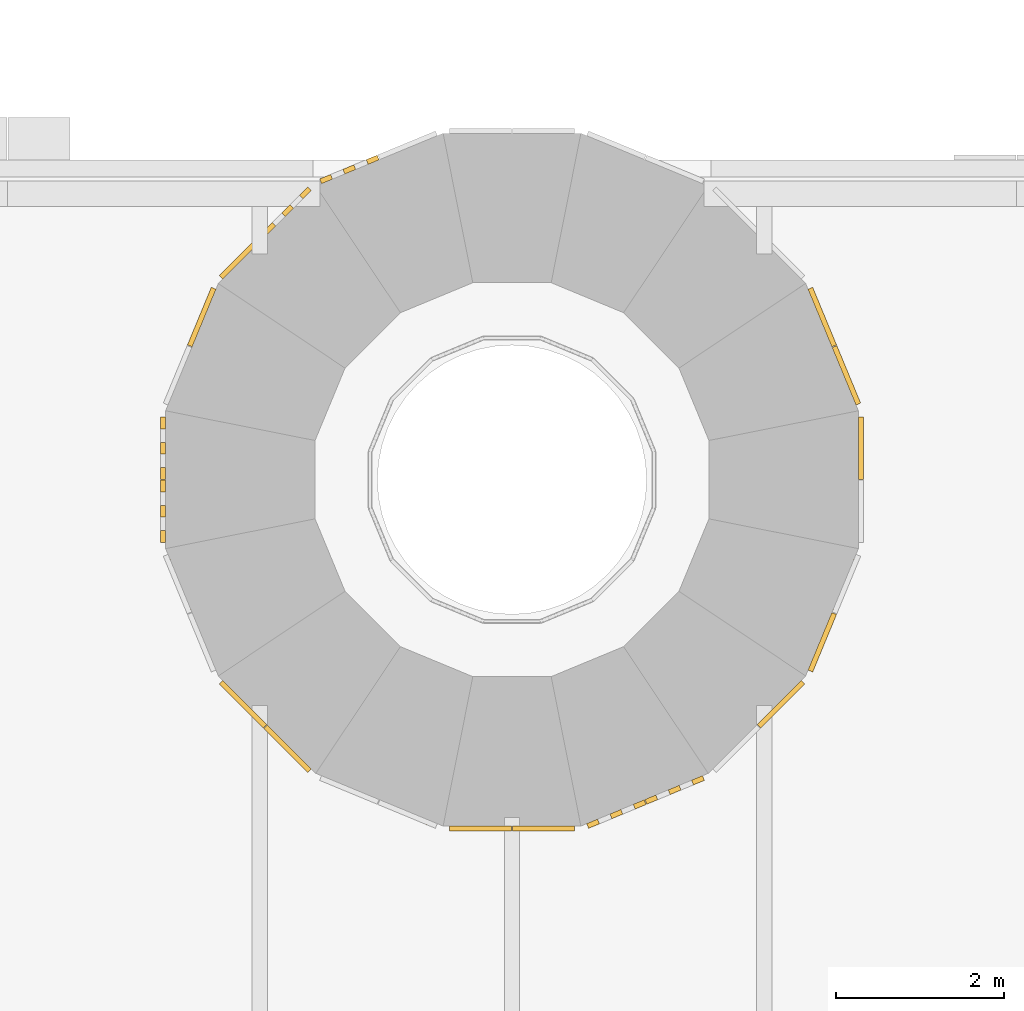
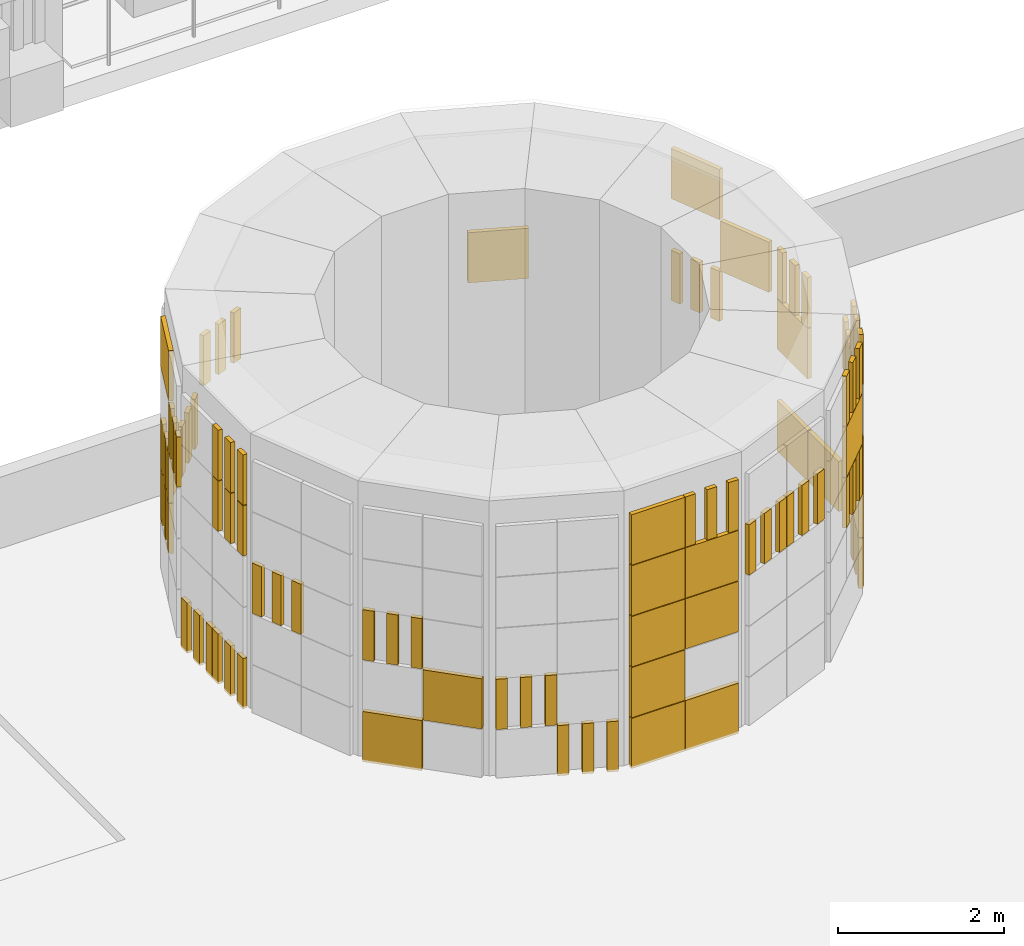
# One storey, part 77 of 98: 2 coverings.
"""IFC4 building model written with IfcOpenShell, lengths in metres."""

from ifc_helpers import new_model, si_unit, direction, frame, origin, origin_2d, place, context, subcontext, project, spatial, rectangle, extrude, material, layer, layer_set, type_object, element, save


model = new_model("IFC4")

# Units and contexts
model_context = context("Model", 3, precision=1e-05, world=origin(), true_north=direction((0.0, 1.0)))
body_context = subcontext(model_context, "Body", "Model", "MODEL_VIEW")
ifc_project = project(units=[si_unit("LENGTHUNIT", "METRE"), si_unit("AREAUNIT", "SQUARE_METRE"), si_unit("VOLUMEUNIT", "CUBIC_METRE"), si_unit("PLANEANGLEUNIT", "RADIAN"), si_unit("MASSUNIT", "GRAM", prefix="KILO")], contexts=[model_context])

# Site, building, storey
site_placement = place(None, origin())
site = spatial("IfcSite", under=ifc_project, at=site_placement, CompositionType="ELEMENT")
building_placement = place(site_placement, origin())
building = spatial("IfcBuilding", under=site, at=building_placement, Name="Sun Court Science Centre", CompositionType="ELEMENT")
storey_placement = place(building_placement, frame((0.0, 0.0, 15.75)))
storey = spatial("IfcBuildingStorey", under=building, at=storey_placement, Name="L03", CompositionType="ELEMENT", Elevation=15.75)

# Coverings
ifc_material_1 = material(Name="Terracotta jali", Category="masonry")
ifc_layer_1 = layer(ifc_material_1, 0.06005859375)
ifc_layer_set_1 = layer_set([ifc_layer_1], Name="Terracotta jali")
covering_type_1 = type_object("IfcCoveringType", Name="Terracotta open jali panel", PredefinedType="CLADDING", material=ifc_layer_set_1)
covering_1_placement = place(storey_placement, frame((0.0, 0.0, -15.75)))
element("IfcCovering", 1, at=covering_1_placement, inside=storey, type_object=covering_type_1, Name="Open jali pixel cladding cone 4 L03", PredefinedType="CLADDING", context=body_context, shape_type="SweptSolid", body=[
    extrude(rectangle(XDim=0.139892578125, YDim=0.06005859375, at=origin_2d()), frame((45.5751953125, 26.411376953125, 17.365234375), z_axis=(0.0, 0.0, 1.0), x_axis=(0.382683432365, -0.923879532511, 0.0)), (0.0, 0.0, 1.0), 0.739990234375),
    extrude(rectangle(XDim=0.139892578125, YDim=0.06005859375, at=origin_2d()), frame((45.68994140625, 26.13427734375, 17.365234375), z_axis=(0.0, 0.0, 1.0), x_axis=(0.382683432365, -0.923879532511, 0.0)), (0.0, 0.0, 1.0), 0.739990234375),
    extrude(rectangle(XDim=0.139892578125, YDim=0.06005859375, at=origin_2d()), frame((45.8046875, 25.857177734375, 17.365234375), z_axis=(0.0, 0.0, 1.0), x_axis=(0.382683432365, -0.923879532511, 0.0)), (0.0, 0.0, 1.0), 0.739990234375),
    extrude(rectangle(XDim=0.139892578125, YDim=0.06005859375, at=origin_2d()), frame((39.78857421875, 27.775146484375, 17.365234375), z_axis=(0.0, 0.0, 1.0), x_axis=(0.923879532511, 0.382683432365, 0.0)), (0.0, 0.0, 1.0), 0.739990234375),
    extrude(rectangle(XDim=0.139892578125, YDim=0.06005859375, at=origin_2d()), frame((40.065673828125, 27.889892578125, 17.365234375), z_axis=(0.0, 0.0, 1.0), x_axis=(0.923879532511, 0.382683432365, 0.0)), (0.0, 0.0, 1.0), 0.739990234375),
    extrude(rectangle(XDim=0.139892578125, YDim=0.06005859375, at=origin_2d()), frame((40.3427734375, 28.004638671875, 17.365234375), z_axis=(0.0, 0.0, 1.0), x_axis=(0.923879532511, 0.382683432365, 0.0)), (0.0, 0.0, 1.0), 0.739990234375),
    extrude(rectangle(XDim=0.139892578125, YDim=0.06005859375, at=origin_2d()), frame((39.119140625, 27.18701171875, 16.615234375), z_axis=(0.0, 0.0, 1.0), x_axis=(0.707106781187, 0.707106781187, 0.0)), (0.0, 0.0, 1.0), 0.739990234375),
    extrude(rectangle(XDim=0.139892578125, YDim=0.06005859375, at=origin_2d()), frame((39.3310546875, 27.399169921875, 16.615234375), z_axis=(0.0, 0.0, 1.0), x_axis=(0.707106781187, 0.707106781187, 0.0)), (0.0, 0.0, 1.0), 0.739990234375),
    extrude(rectangle(XDim=0.139892578125, YDim=0.06005859375, at=origin_2d()), frame((39.543212890625, 27.611328125, 16.615234375), z_axis=(0.0, 0.0, 1.0), x_axis=(0.707106781187, 0.707106781187, 0.0)), (0.0, 0.0, 1.0), 0.739990234375),
    extrude(rectangle(XDim=0.139892578125, YDim=0.06005859375, at=origin_2d()), frame((38.1953125, 25.857177734375, 16.615234375), z_axis=(0.0, 0.0, 1.0), x_axis=(0.382683432365, 0.923879532511, 0.0)), (0.0, 0.0, 1.0), 0.739990234375),
    extrude(rectangle(XDim=0.139892578125, YDim=0.06005859375, at=origin_2d()), frame((38.31005859375, 26.13427734375, 16.615234375), z_axis=(0.0, 0.0, 1.0), x_axis=(0.382683432365, 0.923879532511, 0.0)), (0.0, 0.0, 1.0), 0.739990234375),
    extrude(rectangle(XDim=0.139892578125, YDim=0.06005859375, at=origin_2d()), frame((38.4248046875, 26.411376953125, 16.615234375), z_axis=(0.0, 0.0, 1.0), x_axis=(0.382683432365, 0.923879532511, 0.0)), (0.0, 0.0, 1.0), 0.739990234375),
    extrude(rectangle(XDim=0.139892578125, YDim=0.06005859375, at=origin_2d()), frame((38.1953125, 25.857177734375, 17.365234375), z_axis=(0.0, 0.0, 1.0), x_axis=(0.382683432365, 0.923879532511, 0.0)), (0.0, 0.0, 1.0), 0.739990234375),
    extrude(rectangle(XDim=0.139892578125, YDim=0.06005859375, at=origin_2d()), frame((38.31005859375, 26.13427734375, 17.365234375), z_axis=(0.0, 0.0, 1.0), x_axis=(0.382683432365, 0.923879532511, 0.0)), (0.0, 0.0, 1.0), 0.739990234375),
    extrude(rectangle(XDim=0.139892578125, YDim=0.06005859375, at=origin_2d()), frame((38.4248046875, 26.411376953125, 17.365234375), z_axis=(0.0, 0.0, 1.0), x_axis=(0.382683432365, 0.923879532511, 0.0)), (0.0, 0.0, 1.0), 0.739990234375),
    extrude(rectangle(XDim=0.139892578125, YDim=0.06005859375, at=origin_2d()), frame((37.908203125, 25.164306640625, 18.115234375), z_axis=(0.0, 0.0, 1.0), x_axis=(0.382683432365, 0.923879532511, 0.0)), (0.0, 0.0, 1.0), 0.739990234375),
    extrude(rectangle(XDim=0.139892578125, YDim=0.06005859375, at=origin_2d()), frame((38.02294921875, 25.44140625, 18.115234375), z_axis=(0.0, 0.0, 1.0), x_axis=(0.382683432365, 0.923879532511, 0.0)), (0.0, 0.0, 1.0), 0.739990234375),
    extrude(rectangle(XDim=0.139892578125, YDim=0.06005859375, at=origin_2d()), frame((38.137939453125, 25.718505859375, 18.115234375), z_axis=(0.0, 0.0, 1.0), x_axis=(0.382683432365, 0.923879532511, 0.0)), (0.0, 0.0, 1.0), 0.739990234375),
    extrude(rectangle(XDim=0.139892578125, YDim=0.06005859375, at=origin_2d()), frame((37.8505859375, 23.52490234375, 15.865234375), z_axis=(0.0, 0.0, 1.0), x_axis=(0.0, 1.0, 0.0)), (0.0, 0.0, 1.0), 0.739990234375),
    extrude(rectangle(XDim=0.139892578125, YDim=0.06005859375, at=origin_2d()), frame((37.8505859375, 23.824951171875, 15.865234375), z_axis=(0.0, 0.0, 1.0), x_axis=(0.0, 1.0, 0.0)), (0.0, 0.0, 1.0), 0.739990234375),
    extrude(rectangle(XDim=0.139892578125, YDim=0.06005859375, at=origin_2d()), frame((37.8505859375, 24.125, 15.865234375), z_axis=(0.0, 0.0, 1.0), x_axis=(0.0, 1.0, 0.0)), (0.0, 0.0, 1.0), 0.739990234375),
    extrude(rectangle(XDim=0.139892578125, YDim=0.06005859375, at=origin_2d()), frame((37.8505859375, 24.27490234375, 15.865234375), z_axis=(0.0, 0.0, 1.0), x_axis=(0.0, 1.0, 0.0)), (0.0, 0.0, 1.0), 0.739990234375),
    extrude(rectangle(XDim=0.139892578125, YDim=0.06005859375, at=origin_2d()), frame((37.8505859375, 24.574951171875, 15.865234375), z_axis=(0.0, 0.0, 1.0), x_axis=(0.0, 1.0, 0.0)), (0.0, 0.0, 1.0), 0.739990234375),
    extrude(rectangle(XDim=0.139892578125, YDim=0.06005859375, at=origin_2d()), frame((37.8505859375, 24.875, 15.865234375), z_axis=(0.0, 0.0, 1.0), x_axis=(0.0, 1.0, 0.0)), (0.0, 0.0, 1.0), 0.739990234375),
    extrude(rectangle(XDim=0.139892578125, YDim=0.06005859375, at=origin_2d()), frame((37.8505859375, 23.52490234375, 18.115234375), z_axis=(0.0, 0.0, 1.0), x_axis=(0.0, 1.0, 0.0)), (0.0, 0.0, 1.0), 0.739990234375),
    extrude(rectangle(XDim=0.139892578125, YDim=0.06005859375, at=origin_2d()), frame((37.8505859375, 23.824951171875, 18.115234375), z_axis=(0.0, 0.0, 1.0), x_axis=(0.0, 1.0, 0.0)), (0.0, 0.0, 1.0), 0.739990234375),
    extrude(rectangle(XDim=0.139892578125, YDim=0.06005859375, at=origin_2d()), frame((37.8505859375, 24.125, 18.115234375), z_axis=(0.0, 0.0, 1.0), x_axis=(0.0, 1.0, 0.0)), (0.0, 0.0, 1.0), 0.739990234375),
    extrude(rectangle(XDim=0.139892578125, YDim=0.06005859375, at=origin_2d()), frame((37.8505859375, 23.52490234375, 18.865234375), z_axis=(0.0, 0.0, 1.0), x_axis=(0.0, 1.0, 0.0)), (0.0, 0.0, 1.0), 0.739990234375),
    extrude(rectangle(XDim=0.139892578125, YDim=0.06005859375, at=origin_2d()), frame((37.8505859375, 23.824951171875, 18.865234375), z_axis=(0.0, 0.0, 1.0), x_axis=(0.0, 1.0, 0.0)), (0.0, 0.0, 1.0), 0.739990234375),
    extrude(rectangle(XDim=0.139892578125, YDim=0.06005859375, at=origin_2d()), frame((37.8505859375, 24.125, 18.865234375), z_axis=(0.0, 0.0, 1.0), x_axis=(0.0, 1.0, 0.0)), (0.0, 0.0, 1.0), 0.739990234375),
    extrude(rectangle(XDim=0.139892578125, YDim=0.06005859375, at=origin_2d()), frame((38.137939453125, 22.681396484375, 17.365234375), z_axis=(0.0, 0.0, 1.0), x_axis=(-0.382683432365, 0.923879532511, 0.0)), (0.0, 0.0, 1.0), 0.739990234375),
    extrude(rectangle(XDim=0.139892578125, YDim=0.06005859375, at=origin_2d()), frame((38.02294921875, 22.95849609375, 17.365234375), z_axis=(0.0, 0.0, 1.0), x_axis=(-0.382683432365, 0.923879532511, 0.0)), (0.0, 0.0, 1.0), 0.739990234375),
    extrude(rectangle(XDim=0.139892578125, YDim=0.06005859375, at=origin_2d()), frame((37.908203125, 23.23583984375, 17.365234375), z_axis=(0.0, 0.0, 1.0), x_axis=(-0.382683432365, 0.923879532511, 0.0)), (0.0, 0.0, 1.0), 0.739990234375),
    extrude(rectangle(XDim=0.139892578125, YDim=0.06005859375, at=origin_2d()), frame((39.012939453125, 21.319091796875, 17.365234375), z_axis=(0.0, 0.0, 1.0), x_axis=(-0.707106781187, 0.707106781187, 0.0)), (0.0, 0.0, 1.0), 0.739990234375),
    extrude(rectangle(XDim=0.139892578125, YDim=0.06005859375, at=origin_2d()), frame((38.80078125, 21.53125, 17.365234375), z_axis=(0.0, 0.0, 1.0), x_axis=(-0.707106781187, 0.707106781187, 0.0)), (0.0, 0.0, 1.0), 0.739990234375),
    extrude(rectangle(XDim=0.139892578125, YDim=0.06005859375, at=origin_2d()), frame((38.588623046875, 21.743408203125, 17.365234375), z_axis=(0.0, 0.0, 1.0), x_axis=(-0.707106781187, 0.707106781187, 0.0)), (0.0, 0.0, 1.0), 0.739990234375),
    extrude(rectangle(XDim=0.139892578125, YDim=0.06005859375, at=origin_2d()), frame((41.03564453125, 20.108154296875, 15.865234375), z_axis=(0.0, 0.0, 1.0), x_axis=(-0.923879532511, 0.382683432365, 0.0)), (0.0, 0.0, 1.0), 0.739990234375),
    extrude(rectangle(XDim=0.139892578125, YDim=0.06005859375, at=origin_2d()), frame((40.758544921875, 20.22314453125, 15.865234375), z_axis=(0.0, 0.0, 1.0), x_axis=(-0.923879532511, 0.382683432365, 0.0)), (0.0, 0.0, 1.0), 0.739990234375),
    extrude(rectangle(XDim=0.139892578125, YDim=0.06005859375, at=origin_2d()), frame((40.4814453125, 20.337890625, 15.865234375), z_axis=(0.0, 0.0, 1.0), x_axis=(-0.923879532511, 0.382683432365, 0.0)), (0.0, 0.0, 1.0), 0.739990234375),
    extrude(rectangle(XDim=0.139892578125, YDim=0.06005859375, at=origin_2d()), frame((40.3427734375, 20.395263671875, 16.615234375), z_axis=(0.0, 0.0, 1.0), x_axis=(-0.923879532511, 0.382683432365, 0.0)), (0.0, 0.0, 1.0), 0.739990234375),
    extrude(rectangle(XDim=0.139892578125, YDim=0.06005859375, at=origin_2d()), frame((40.065673828125, 20.510009765625, 16.615234375), z_axis=(0.0, 0.0, 1.0), x_axis=(-0.923879532511, 0.382683432365, 0.0)), (0.0, 0.0, 1.0), 0.739990234375),
    extrude(rectangle(XDim=0.139892578125, YDim=0.06005859375, at=origin_2d()), frame((39.78857421875, 20.624755859375, 16.615234375), z_axis=(0.0, 0.0, 1.0), x_axis=(-0.923879532511, 0.382683432365, 0.0)), (0.0, 0.0, 1.0), 0.739990234375),
    extrude(rectangle(XDim=0.139892578125, YDim=0.06005859375, at=origin_2d()), frame((42.675048828125, 20.05078125, 18.865234375), z_axis=(0.0, 0.0, 1.0), x_axis=(-1.0, 0.0, 0.0)), (0.0, 0.0, 1.0), 0.739990234375),
    extrude(rectangle(XDim=0.139892578125, YDim=0.06005859375, at=origin_2d()), frame((42.375, 20.05078125, 18.865234375), z_axis=(0.0, 0.0, 1.0), x_axis=(-1.0, 0.0, 0.0)), (0.0, 0.0, 1.0), 0.739990234375),
    extrude(rectangle(XDim=0.139892578125, YDim=0.06005859375, at=origin_2d()), frame((42.074951171875, 20.05078125, 18.865234375), z_axis=(0.0, 0.0, 1.0), x_axis=(-1.0, 0.0, 0.0)), (0.0, 0.0, 1.0), 0.739990234375),
    extrude(rectangle(XDim=0.139892578125, YDim=0.06005859375, at=origin_2d()), frame((44.21142578125, 20.624755859375, 18.115234375), z_axis=(0.0, 0.0, 1.0), x_axis=(-0.923879532511, -0.382683432365, 0.0)), (0.0, 0.0, 1.0), 0.739990234375),
    extrude(rectangle(XDim=0.139892578125, YDim=0.06005859375, at=origin_2d()), frame((43.934326171875, 20.510009765625, 18.115234375), z_axis=(0.0, 0.0, 1.0), x_axis=(-0.923879532511, -0.382683432365, 0.0)), (0.0, 0.0, 1.0), 0.739990234375),
    extrude(rectangle(XDim=0.139892578125, YDim=0.06005859375, at=origin_2d()), frame((43.6572265625, 20.395263671875, 18.115234375), z_axis=(0.0, 0.0, 1.0), x_axis=(-0.923879532511, -0.382683432365, 0.0)), (0.0, 0.0, 1.0), 0.739990234375),
    extrude(rectangle(XDim=0.139892578125, YDim=0.06005859375, at=origin_2d()), frame((43.5185546875, 20.337890625, 18.115234375), z_axis=(0.0, 0.0, 1.0), x_axis=(-0.923879532511, -0.382683432365, 0.0)), (0.0, 0.0, 1.0), 0.739990234375),
    extrude(rectangle(XDim=0.139892578125, YDim=0.06005859375, at=origin_2d()), frame((43.241455078125, 20.22314453125, 18.115234375), z_axis=(0.0, 0.0, 1.0), x_axis=(-0.923879532511, -0.382683432365, 0.0)), (0.0, 0.0, 1.0), 0.739990234375),
    extrude(rectangle(XDim=0.139892578125, YDim=0.06005859375, at=origin_2d()), frame((42.96435546875, 20.108154296875, 18.115234375), z_axis=(0.0, 0.0, 1.0), x_axis=(-0.923879532511, -0.382683432365, 0.0)), (0.0, 0.0, 1.0), 0.739990234375),
    extrude(rectangle(XDim=0.139892578125, YDim=0.06005859375, at=origin_2d()), frame((45.411376953125, 21.743408203125, 17.365234375), z_axis=(0.0, 0.0, 1.0), x_axis=(-0.707106781187, -0.707106781187, 0.0)), (0.0, 0.0, 1.0), 0.739990234375),
    extrude(rectangle(XDim=0.139892578125, YDim=0.06005859375, at=origin_2d()), frame((45.19921875, 21.53125, 17.365234375), z_axis=(0.0, 0.0, 1.0), x_axis=(-0.707106781187, -0.707106781187, 0.0)), (0.0, 0.0, 1.0), 0.739990234375),
    extrude(rectangle(XDim=0.139892578125, YDim=0.06005859375, at=origin_2d()), frame((44.987060546875, 21.319091796875, 17.365234375), z_axis=(0.0, 0.0, 1.0), x_axis=(-0.707106781187, -0.707106781187, 0.0)), (0.0, 0.0, 1.0), 0.739990234375),
    extrude(rectangle(XDim=0.139892578125, YDim=0.06005859375, at=origin_2d()), frame((45.411376953125, 21.743408203125, 18.865234375), z_axis=(0.0, 0.0, 1.0), x_axis=(-0.707106781187, -0.707106781187, 0.0)), (0.0, 0.0, 1.0), 0.739990234375),
    extrude(rectangle(XDim=0.139892578125, YDim=0.06005859375, at=origin_2d()), frame((45.19921875, 21.53125, 18.865234375), z_axis=(0.0, 0.0, 1.0), x_axis=(-0.707106781187, -0.707106781187, 0.0)), (0.0, 0.0, 1.0), 0.739990234375),
    extrude(rectangle(XDim=0.139892578125, YDim=0.06005859375, at=origin_2d()), frame((44.987060546875, 21.319091796875, 18.865234375), z_axis=(0.0, 0.0, 1.0), x_axis=(-0.707106781187, -0.707106781187, 0.0)), (0.0, 0.0, 1.0), 0.739990234375),
    extrude(rectangle(XDim=0.139892578125, YDim=0.06005859375, at=origin_2d()), frame((45.8046875, 22.542724609375, 15.865234375), z_axis=(0.0, 0.0, 1.0), x_axis=(-0.382683432365, -0.923879532511, 0.0)), (0.0, 0.0, 1.0), 0.739990234375),
    extrude(rectangle(XDim=0.139892578125, YDim=0.06005859375, at=origin_2d()), frame((45.68994140625, 22.265625, 15.865234375), z_axis=(0.0, 0.0, 1.0), x_axis=(-0.382683432365, -0.923879532511, 0.0)), (0.0, 0.0, 1.0), 0.739990234375),
    extrude(rectangle(XDim=0.139892578125, YDim=0.06005859375, at=origin_2d()), frame((45.5751953125, 21.988525390625, 15.865234375), z_axis=(0.0, 0.0, 1.0), x_axis=(-0.382683432365, -0.923879532511, 0.0)), (0.0, 0.0, 1.0), 0.739990234375),
    extrude(rectangle(XDim=0.139892578125, YDim=0.06005859375, at=origin_2d()), frame((45.8046875, 22.542724609375, 17.365234375), z_axis=(0.0, 0.0, 1.0), x_axis=(-0.382683432365, -0.923879532511, 0.0)), (0.0, 0.0, 1.0), 0.739990234375),
    extrude(rectangle(XDim=0.139892578125, YDim=0.06005859375, at=origin_2d()), frame((45.68994140625, 22.265625, 17.365234375), z_axis=(0.0, 0.0, 1.0), x_axis=(-0.382683432365, -0.923879532511, 0.0)), (0.0, 0.0, 1.0), 0.739990234375),
    extrude(rectangle(XDim=0.139892578125, YDim=0.06005859375, at=origin_2d()), frame((45.5751953125, 21.988525390625, 17.365234375), z_axis=(0.0, 0.0, 1.0), x_axis=(-0.382683432365, -0.923879532511, 0.0)), (0.0, 0.0, 1.0), 0.739990234375),
    extrude(rectangle(XDim=0.139892578125, YDim=0.06005859375, at=origin_2d()), frame((46.091796875, 23.23583984375, 18.115234375), z_axis=(0.0, 0.0, 1.0), x_axis=(-0.382683432365, -0.923879532511, 0.0)), (0.0, 0.0, 1.0), 0.739990234375),
    extrude(rectangle(XDim=0.139892578125, YDim=0.06005859375, at=origin_2d()), frame((45.97705078125, 22.95849609375, 18.115234375), z_axis=(0.0, 0.0, 1.0), x_axis=(-0.382683432365, -0.923879532511, 0.0)), (0.0, 0.0, 1.0), 0.739990234375),
    extrude(rectangle(XDim=0.139892578125, YDim=0.06005859375, at=origin_2d()), frame((45.862060546875, 22.681396484375, 18.115234375), z_axis=(0.0, 0.0, 1.0), x_axis=(-0.382683432365, -0.923879532511, 0.0)), (0.0, 0.0, 1.0), 0.739990234375),
    extrude(rectangle(XDim=0.139892578125, YDim=0.06005859375, at=origin_2d()), frame((45.8046875, 22.542724609375, 18.865234375), z_axis=(0.0, 0.0, 1.0), x_axis=(-0.382683432365, -0.923879532511, 0.0)), (0.0, 0.0, 1.0), 0.739990234375),
    extrude(rectangle(XDim=0.139892578125, YDim=0.06005859375, at=origin_2d()), frame((45.68994140625, 22.265625, 18.865234375), z_axis=(0.0, 0.0, 1.0), x_axis=(-0.382683432365, -0.923879532511, 0.0)), (0.0, 0.0, 1.0), 0.739990234375),
    extrude(rectangle(XDim=0.139892578125, YDim=0.06005859375, at=origin_2d()), frame((45.5751953125, 21.988525390625, 18.865234375), z_axis=(0.0, 0.0, 1.0), x_axis=(-0.382683432365, -0.923879532511, 0.0)), (0.0, 0.0, 1.0), 0.739990234375),
    extrude(rectangle(XDim=0.139892578125, YDim=0.06005859375, at=origin_2d()), frame((46.1494140625, 24.875, 18.115234375), z_axis=(0.0, 0.0, 1.0), x_axis=(0.0, -1.0, 0.0)), (0.0, 0.0, 1.0), 0.739990234375),
    extrude(rectangle(XDim=0.139892578125, YDim=0.06005859375, at=origin_2d()), frame((46.1494140625, 24.574951171875, 18.115234375), z_axis=(0.0, 0.0, 1.0), x_axis=(0.0, -1.0, 0.0)), (0.0, 0.0, 1.0), 0.739990234375),
    extrude(rectangle(XDim=0.139892578125, YDim=0.06005859375, at=origin_2d()), frame((46.1494140625, 24.27490234375, 18.115234375), z_axis=(0.0, 0.0, 1.0), x_axis=(0.0, -1.0, 0.0)), (0.0, 0.0, 1.0), 0.739990234375),
    extrude(rectangle(XDim=0.739990234375, YDim=0.06005859375, at=origin_2d()), frame((41.625, 20.05078125, 15.865234375), z_axis=(0.0, 0.0, 1.0), x_axis=(-1.0, 0.0, 0.0)), (0.0, 0.0, 1.0), 0.739990234375),
    extrude(rectangle(XDim=0.739990234375, YDim=0.06005859375, at=origin_2d()), frame((42.375, 20.05078125, 17.365234375), z_axis=(0.0, 0.0, 1.0), x_axis=(-1.0, 0.0, 0.0)), (0.0, 0.0, 1.0), 0.739990234375),
    extrude(rectangle(XDim=0.739990234375, YDim=0.06005859375, at=origin_2d()), frame((42.375, 20.05078125, 18.115234375), z_axis=(0.0, 0.0, 1.0), x_axis=(-1.0, 0.0, 0.0)), (0.0, 0.0, 1.0), 0.739990234375),
    extrude(rectangle(XDim=0.739990234375, YDim=0.06005859375, at=origin_2d()), frame((41.625, 20.05078125, 18.115234375), z_axis=(0.0, 0.0, 1.0), x_axis=(-1.0, 0.0, 0.0)), (0.0, 0.0, 1.0), 0.739990234375),
    extrude(rectangle(XDim=0.739990234375, YDim=0.06005859375, at=origin_2d()), frame((41.625, 20.05078125, 18.865234375), z_axis=(0.0, 0.0, 1.0), x_axis=(-1.0, 0.0, 0.0)), (0.0, 0.0, 1.0), 0.739990234375),
    extrude(rectangle(XDim=0.739990234375, YDim=0.06005859375, at=origin_2d()), frame((41.625, 20.05078125, 17.365234375), z_axis=(0.0, 0.0, 1.0), x_axis=(-1.0, 0.0, 0.0)), (0.0, 0.0, 1.0), 0.739990234375),
    extrude(rectangle(XDim=0.739990234375, YDim=0.06005859375, at=origin_2d()), frame((46.1494140625, 23.824951171875, 15.865234375), z_axis=(0.0, 0.0, 1.0), x_axis=(0.0, -1.0, 0.0)), (0.0, 0.0, 1.0), 0.739990234375),
    extrude(rectangle(XDim=0.739990234375, YDim=0.06005859375, at=origin_2d()), frame((43.934326171875, 27.889892578125, 17.365234375), z_axis=(0.0, 0.0, 1.0), x_axis=(0.923879532511, -0.382683432365, 0.0)), (0.0, 0.0, 1.0), 0.739990234375),
])
ifc_material_2 = material(Name="Terracotta shade 5", Category="masonry")
ifc_layer_2 = layer(ifc_material_2, 0.06005859375)
ifc_layer_set_2 = layer_set([ifc_layer_2], Name="Terracotta shade 5")
covering_type_2 = type_object("IfcCoveringType", Name="Terracotta pixel panel shade 5", PredefinedType="CLADDING", material=ifc_layer_set_2)
covering_2_placement = place(storey_placement, frame((0.0, 0.0, -15.75)))
element("IfcCovering", 2, at=covering_2_placement, inside=storey, type_object=covering_type_2, Name="Terracotta pixel cladding shade 5 cone 4 L03", PredefinedType="CLADDING", context=body_context, shape_type="SweptSolid", body=[
    extrude(rectangle(XDim=0.739990234375, YDim=0.06005859375, at=origin_2d()), frame((45.97705078125, 25.44140625, 18.115234375), z_axis=(0.0, 0.0, 1.0), x_axis=(0.382683432365, -0.923879532511, 0.0)), (0.0, 0.0, 1.0), 0.739990234375),
    extrude(rectangle(XDim=0.739990234375, YDim=0.06005859375, at=origin_2d()), frame((45.68994140625, 26.13427734375, 18.865234375), z_axis=(0.0, 0.0, 1.0), x_axis=(0.382683432365, -0.923879532511, 0.0)), (0.0, 0.0, 1.0), 0.739990234375),
    extrude(rectangle(XDim=0.739990234375, YDim=0.06005859375, at=origin_2d()), frame((38.80078125, 26.868896484375, 16.615234375), z_axis=(0.0, 0.0, 1.0), x_axis=(0.707106781187, 0.707106781187, 0.0)), (0.0, 0.0, 1.0), 0.739990234375),
    extrude(rectangle(XDim=0.739990234375, YDim=0.06005859375, at=origin_2d()), frame((38.31005859375, 26.13427734375, 18.865234375), z_axis=(0.0, 0.0, 1.0), x_axis=(0.382683432365, 0.923879532511, 0.0)), (0.0, 0.0, 1.0), 0.739990234375),
    extrude(rectangle(XDim=0.739990234375, YDim=0.06005859375, at=origin_2d()), frame((38.80078125, 21.53125, 15.865234375), z_axis=(0.0, 0.0, 1.0), x_axis=(-0.707106781187, 0.707106781187, 0.0)), (0.0, 0.0, 1.0), 0.739990234375),
    extrude(rectangle(XDim=0.739990234375, YDim=0.06005859375, at=origin_2d()), frame((39.3310546875, 21.000732421875, 16.615234375), z_axis=(0.0, 0.0, 1.0), x_axis=(-0.707106781187, 0.707106781187, 0.0)), (0.0, 0.0, 1.0), 0.739990234375),
    extrude(rectangle(XDim=0.739990234375, YDim=0.06005859375, at=origin_2d()), frame((42.375, 20.05078125, 15.865234375), z_axis=(0.0, 0.0, 1.0), x_axis=(-1.0, 0.0, 0.0)), (0.0, 0.0, 1.0), 0.739990234375),
    extrude(rectangle(XDim=0.739990234375, YDim=0.06005859375, at=origin_2d()), frame((41.625, 20.05078125, 16.615234375), z_axis=(0.0, 0.0, 1.0), x_axis=(-1.0, 0.0, 0.0)), (0.0, 0.0, 1.0), 0.739990234375),
    extrude(rectangle(XDim=0.739990234375, YDim=0.06005859375, at=origin_2d()), frame((45.19921875, 21.53125, 18.115234375), z_axis=(0.0, 0.0, 1.0), x_axis=(-0.707106781187, -0.707106781187, 0.0)), (0.0, 0.0, 1.0), 0.739990234375),
    extrude(rectangle(XDim=0.739990234375, YDim=0.06005859375, at=origin_2d()), frame((45.68994140625, 22.265625, 16.615234375), z_axis=(0.0, 0.0, 1.0), x_axis=(-0.382683432365, -0.923879532511, 0.0)), (0.0, 0.0, 1.0), 0.739990234375),
    extrude(rectangle(XDim=0.739990234375, YDim=0.06005859375, at=origin_2d()), frame((46.1494140625, 24.574951171875, 15.865234375), z_axis=(0.0, 0.0, 1.0), x_axis=(0.0, -1.0, 0.0)), (0.0, 0.0, 1.0), 0.739990234375),
    extrude(rectangle(XDim=0.739990234375, YDim=0.06005859375, at=origin_2d()), frame((46.1494140625, 24.574951171875, 17.365234375), z_axis=(0.0, 0.0, 1.0), x_axis=(0.0, -1.0, 0.0)), (0.0, 0.0, 1.0), 0.739990234375),
])

save(model, "model.ifc")
